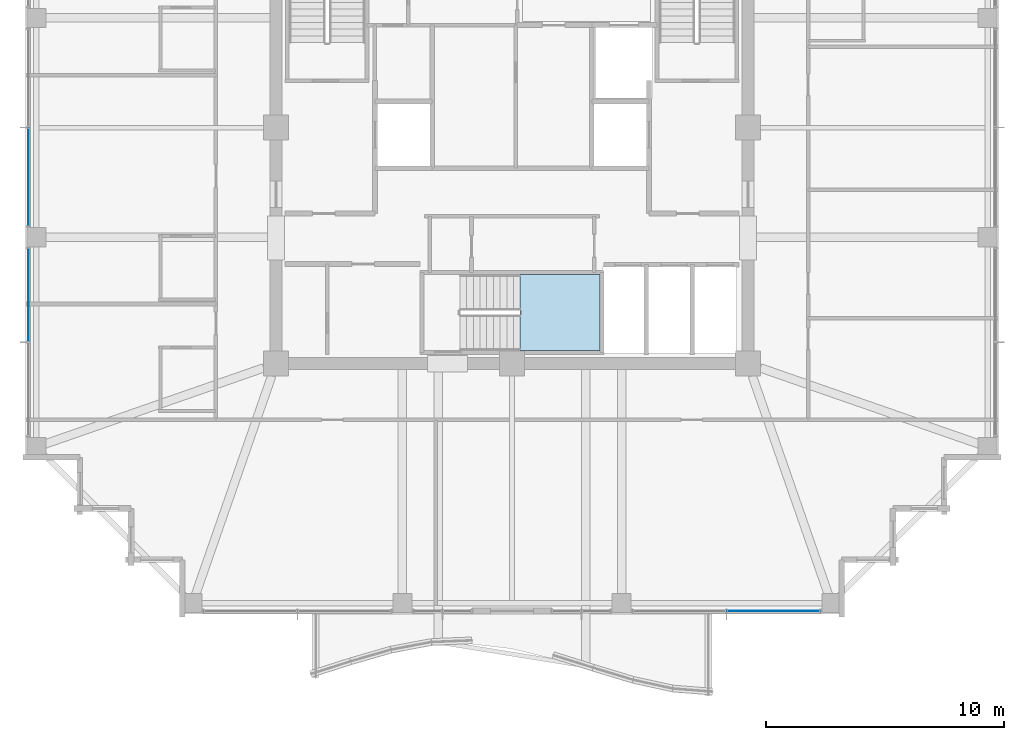
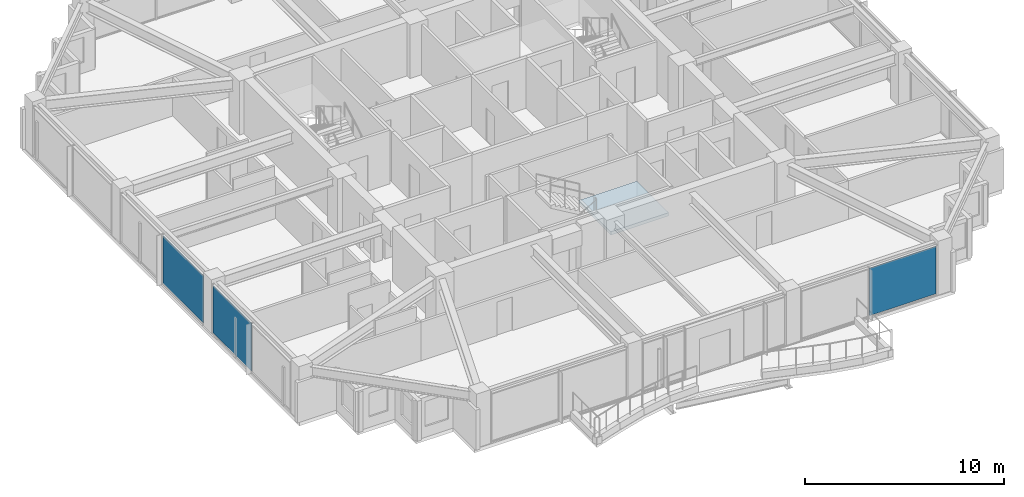
# One storey, part 24 of 36: 3 plates, 1 slab, 4 elements without a shape of their own.
"""IFC4 building model written with IfcOpenShell, lengths in metres."""

from ifc_helpers import new_model, si_unit, direction, frame, origin, origin_2d, place, context, subcontext, project, spatial, polyline, rectangle, outline, extrude, material, layer, layer_set, type_object, element, aggregate, save


model = new_model("IFC4")

# Units and contexts
model_context = context("Model", 3, precision=1e-05, world=origin(), true_north=direction((0.0, 1.0)))
body_context = subcontext(model_context, "Body", "Model", "MODEL_VIEW")
ifc_project = project(units=[si_unit("LENGTHUNIT", "METRE"), si_unit("AREAUNIT", "SQUARE_METRE"), si_unit("VOLUMEUNIT", "CUBIC_METRE"), si_unit("PLANEANGLEUNIT", "RADIAN"), si_unit("MASSUNIT", "GRAM", prefix="KILO")], contexts=[model_context])

# Site, building, storey
site_placement = place(None, origin())
site = spatial("IfcSite", under=ifc_project, at=site_placement, CompositionType="ELEMENT")
building_placement = place(site_placement, origin())
building = spatial("IfcBuilding", under=site, at=building_placement, Name="Kolvaren Belvedere", CompositionType="ELEMENT")
storey_placement = place(building_placement, frame((0.0, 0.0, 196.5)))
storey = spatial("IfcBuildingStorey", under=building, at=storey_placement, Name="L57", CompositionType="ELEMENT", Elevation=196.5)

# Curtain wall, plate
ifc_material_1 = material(Name="Anodised pale-metal aluminium AA 6063-T6", Category="aluminium")
curtain_wall_type = type_object("IfcCurtainWallType", Name="CW-Z5-HIGH", PredefinedType="NOTDEFINED", material=ifc_material_1)
curtain_wall_1_placement = place(storey_placement, origin())
curtain_wall_1 = element("IfcCurtainWall", 1, at=curtain_wall_1_placement, inside=storey, type_object=curtain_wall_type, Name="L57 Unitised Curtain Wall FCW-L57-S1-B1", PredefinedType="NOTDEFINED")
ifc_material_2 = material(Name="Low-iron triple insulated glass", Category="glass")
ifc_layer_1 = layer(ifc_material_2, 0.028076171875)
ifc_layer_set_1 = layer_set([ifc_layer_1], Name="Low-iron triple insulated glass")
plate_type = type_object("IfcPlateType", Name="CW-PNL-VIS28", PredefinedType="CURTAIN_PANEL", material=ifc_layer_set_1)
plate_1_placement = place(storey_placement, frame((10.972412109375, -20.280029296875, 0.080078125), z_axis=(0.0, 0.0, 1.0), x_axis=(-1.0, 0.0, 0.0)))
plate_1 = element("IfcPlate", 2, at=plate_1_placement, type_object=plate_type, Name="FCW-L57-S1-B1 Vision Glazing Panel 1", PredefinedType="CURTAIN_PANEL", context=body_context, shape_type="SweptSolid", body=[
    extrude(rectangle(XDim=3.864990234375, YDim=0.028076171875, at=origin_2d()), origin(), (0.0, 0.0, 1.0), 2.919921875),
])
aggregate(curtain_wall_1, [plate_1])

curtain_wall_2_placement = place(storey_placement, origin())
curtain_wall_2 = element("IfcCurtainWall", 3, at=curtain_wall_2_placement, inside=storey, type_object=curtain_wall_type, Name="L57 Unitised Curtain Wall FCW-L57-W-B1", PredefinedType="NOTDEFINED")
plate_2_placement = place(storey_placement, frame((-20.280029296875, -7.027587890625, 0.080078125), z_axis=(0.0, 0.0, 1.0), x_axis=(0.0, 1.0, 0.0)))
plate_2 = element("IfcPlate", 4, at=plate_2_placement, type_object=plate_type, Name="FCW-L57-W-B1 Vision Glazing Panel 2", PredefinedType="CURTAIN_PANEL", context=body_context, shape_type="SweptSolid", body=[
    extrude(rectangle(XDim=3.864990234375, YDim=0.028076171875, at=origin_2d()), origin(), (0.0, 0.0, 1.0), 2.919921875),
])
aggregate(curtain_wall_2, [plate_2])

curtain_wall_3_placement = place(storey_placement, origin())
curtain_wall_3 = element("IfcCurtainWall", 5, at=curtain_wall_3_placement, inside=storey, type_object=curtain_wall_type, Name="L57 Unitised Curtain Wall FCW-L57-W-B2", PredefinedType="NOTDEFINED")
plate_3_placement = place(storey_placement, frame((-20.280029296875, -2.072509765625, 0.080078125), z_axis=(0.0, 0.0, 1.0), x_axis=(0.0, 1.0, 0.0)))
plate_3 = element("IfcPlate", 6, at=plate_3_placement, type_object=plate_type, Name="FCW-L57-W-B2 Vision Glazing Panel 1", PredefinedType="CURTAIN_PANEL", context=body_context, shape_type="SweptSolid", body=[
    extrude(rectangle(XDim=4.06494140625, YDim=0.028076171875, at=origin_2d()), origin(), (0.0, 0.0, 1.0), 2.919921875),
])
aggregate(curtain_wall_3, [plate_3])

# Stair, slab
ifc_material_3 = material(Name="Concrete C50/60", Category="concrete")
stair_type = type_object("IfcStairType", Name="ST-CORE-1520", PredefinedType="HALF_TURN_STAIR", material=ifc_material_3)
stair_placement = place(storey_placement, origin())
stair = element("IfcStair", 7, at=stair_placement, inside=storey, type_object=stair_type, Name="L57 Protected Exit Stair ST-3", PredefinedType="HALF_TURN_STAIR")
ifc_material_4 = material(Name="Concrete C50/60", Category="concrete")
ifc_layer_2 = layer(ifc_material_4, 0.260009765625)
ifc_layer_set_2 = layer_set([ifc_layer_2], Name="Concrete C50/60")
slab_type = type_object("IfcSlabType", Name="SL-LAND-260", PredefinedType="LANDING", material=ifc_layer_set_2)
slab_placement = place(storey_placement, frame((0.0, 0.0, 1.449951171875)))
slab = element("IfcSlab", 8, at=slab_placement, type_object=slab_type, Name="ST-3 landing 1", PredefinedType="LANDING", context=body_context, shape_type="SweptSolid", body=[
    extrude(outline(polyline([(0.340087890625, -9.35009765625), (3.699951171875, -9.35009765625), (3.699951171875, -6.159912109375), (0.340087890625, -6.159912109375), (0.340087890625, -9.35009765625)])), origin(), (0.0, 0.0, 1.0), 0.199951171875),
])
aggregate(stair, [slab])

save(model, "model.ifc")
